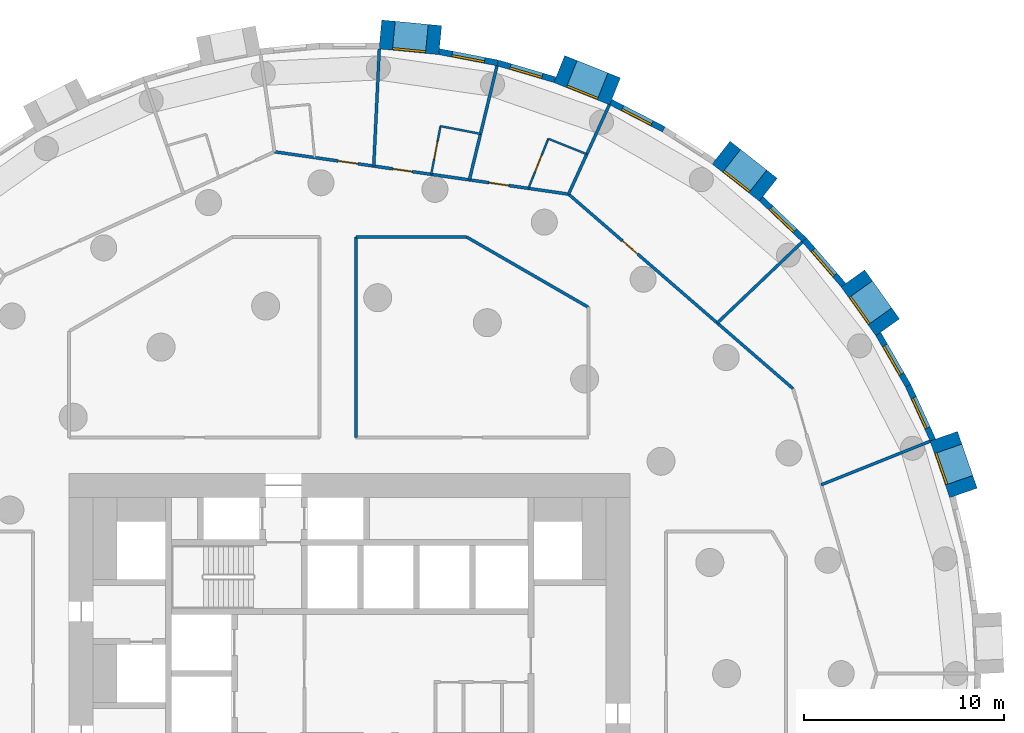
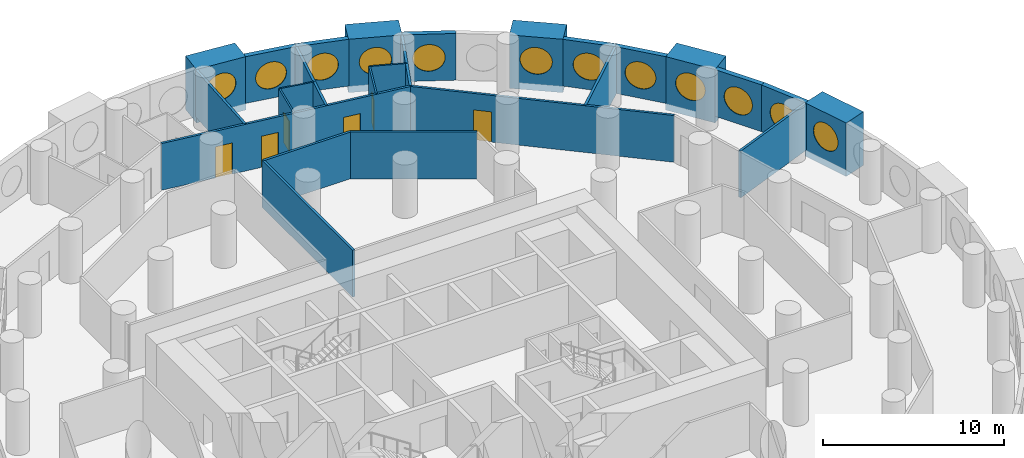
# One storey, part 9 of 11: 26 walls, 12 windows, 6 doors, 18 openings.
"""IFC4 building model written with IfcOpenShell, lengths in metres."""

from ifc_helpers import new_model, si_unit, direction, frame, frame_2d, origin, origin_2d, place, context, subcontext, project, spatial, rectangle, circle, extrude, material, layer, layer_set, type_object, element, fill, save


model = new_model("IFC4")

# Units and contexts
model_context = context("Model", 3, precision=1e-05, world=origin(), true_north=direction((0.0, 1.0)))
body_context = subcontext(model_context, "Body", "Model", "MODEL_VIEW")
ifc_project = project(units=[si_unit("LENGTHUNIT", "METRE"), si_unit("AREAUNIT", "SQUARE_METRE"), si_unit("VOLUMEUNIT", "CUBIC_METRE"), si_unit("PLANEANGLEUNIT", "RADIAN"), si_unit("MASSUNIT", "GRAM", prefix="KILO")], contexts=[model_context])

# Site, building, storey
site_placement = place(None, origin())
site = spatial("IfcSite", under=ifc_project, at=site_placement, CompositionType="ELEMENT")
building_placement = place(site_placement, origin())
building = spatial("IfcBuilding", under=site, at=building_placement, Name="Tracery Tower", CompositionType="ELEMENT")
storey_placement = place(building_placement, frame((0.0, 0.0, 93.0)))
storey = spatial("IfcBuildingStorey", under=building, at=storey_placement, Name="L23", CompositionType="ELEMENT", Elevation=93.0)

# Wall, opening, window
ifc_material_1 = material(Name="Precast concrete C50/60", Category="concrete")
ifc_layer_1 = layer(ifc_material_1, 1.449951171875)
ifc_layer_set_1 = layer_set([ifc_layer_1], Name="Deep-set bay unit 3000 x 3600, slab edge 450")
wall_type_1 = type_object("IfcWallType", Name="Deep-set bay unit 3000 x 3600, slab edge 450", PredefinedType="ELEMENTEDWALL", material=ifc_layer_set_1)
wall_1_placement = place(storey_placement, frame((30.649169921875, 9.0205078125, -0.449951171875), z_axis=(0.0, 0.0, 1.0), x_axis=(-0.327071431777, 0.944999618262, 0.0)))
wall_1 = element("IfcWall", 1, at=wall_1_placement, inside=storey, type_object=wall_type_1, Name="Deep-set bay unit 4 at L23", PredefinedType="ELEMENTEDWALL", context=body_context, shape_type="SweptSolid", body=[
    extrude(rectangle(XDim=3.0, YDim=1.449951171875, at=frame_2d((1.5, 0.0))), origin(), (0.0, 0.0, 1.0), 3.599853515625),
])
opening_1_placement = place(wall_1_placement, frame((1.5, 0.0, 2.0)))
opening_1 = element("IfcOpeningElement", 2, at=opening_1_placement, cuts=wall_1, Name="Opening WN1", PredefinedType="OPENING", context=body_context, shape_type="SweptSolid", body=[
    extrude(circle(Radius=0.9000244140625, at=origin_2d()), frame((0.0, 0.73486328125, 0.0), z_axis=(0.0, -1.0, 0.0), x_axis=(1.0, 0.0, 0.0)), (0.0, 0.0, 1.0), 1.469970703125),
])
ifc_material_2 = material(Name="Aluminium frame with tinted double glazing", Category="aluminium")
window_type = type_object("IfcWindowType", Name="Round window 1800", PartitioningType="SINGLE_PANEL", PredefinedType="WINDOW", material=ifc_material_2)
window_1_placement = place(opening_1_placement, origin())
window_1 = element("IfcWindow", 3, at=window_1_placement, inside=storey, type_object=window_type, Name="Round window 4 at L23", OverallHeight=1.800048828125, OverallWidth=1.800048828125, PartitioningType="SINGLE_PANEL", PredefinedType="WINDOW", context=body_context, shape_type="SweptSolid", body=[
    extrude(circle(Radius=0.9000244140625, at=origin_2d()), frame((0.0, 0.69482421875, 0.0), z_axis=(0.0, -1.0, 0.0), x_axis=(1.0, 0.0, 0.0)), (0.0, 0.0, 1.0), 0.10009765625),
])
fill(opening_1, window_1)

wall_2_placement = place(storey_placement, frame((26.866455078125, 17.2900390625, -0.449951171875), z_axis=(0.0, 0.0, 1.0), x_axis=(-0.580090570606, 0.814551981088, 0.0)))
wall_2 = element("IfcWall", 4, at=wall_2_placement, inside=storey, type_object=wall_type_1, Name="Deep-set bay unit 7 at L23", PredefinedType="ELEMENTEDWALL", context=body_context, shape_type="SweptSolid", body=[
    extrude(rectangle(XDim=3.0, YDim=1.449951171875, at=frame_2d((1.5, 0.0))), origin(), (0.0, 0.0, 1.0), 3.599853515625),
])
opening_2_placement = place(wall_2_placement, frame((1.5, 0.0, 2.0)))
opening_2 = element("IfcOpeningElement", 5, at=opening_2_placement, cuts=wall_2, Name="Opening WN1", PredefinedType="OPENING", context=body_context, shape_type="SweptSolid", body=[
    extrude(circle(Radius=0.9000244140625, at=origin_2d()), frame((0.0, 0.73486328125, 0.0), z_axis=(0.0, -1.0, 0.0), x_axis=(1.0, 0.0, 0.0)), (0.0, 0.0, 1.0), 1.469970703125),
])
window_2_placement = place(opening_2_placement, origin())
window_2 = element("IfcWindow", 6, at=window_2_placement, inside=storey, type_object=window_type, Name="Round window 7 at L23", OverallHeight=1.800048828125, OverallWidth=1.800048828125, PartitioningType="SINGLE_PANEL", PredefinedType="WINDOW", context=body_context, shape_type="SweptSolid", body=[
    extrude(circle(Radius=0.9000244140625, at=origin_2d()), frame((0.0, 0.69482421875, 0.0), z_axis=(0.0, -1.0, 0.0), x_axis=(1.0, 0.0, 0.0)), (0.0, 0.0, 1.0), 0.10009765625),
])
fill(opening_2, window_2)

wall_3_placement = place(storey_placement, frame((20.906982421875, 24.15869140625, -0.449951171875), z_axis=(0.0, 0.0, 1.0), x_axis=(-0.786049992888, 0.618162930529, 0.0)))
wall_3 = element("IfcWall", 7, at=wall_3_placement, inside=storey, type_object=wall_type_1, Name="Deep-set bay unit 10 at L23", PredefinedType="ELEMENTEDWALL", context=body_context, shape_type="SweptSolid", body=[
    extrude(rectangle(XDim=3.0, YDim=1.449951171875, at=frame_2d((1.5, 0.0))), origin(), (0.0, 0.0, 1.0), 3.599853515625),
])
opening_3_placement = place(wall_3_placement, frame((1.5, 0.0, 2.0)))
opening_3 = element("IfcOpeningElement", 8, at=opening_3_placement, cuts=wall_3, Name="Opening WN1", PredefinedType="OPENING", context=body_context, shape_type="SweptSolid", body=[
    extrude(circle(Radius=0.9000244140625, at=origin_2d()), frame((0.0, 0.73486328125, 0.0), z_axis=(0.0, -1.0, 0.0), x_axis=(1.0, 0.0, 0.0)), (0.0, 0.0, 1.0), 1.469970703125),
])
window_3_placement = place(opening_3_placement, origin())
window_3 = element("IfcWindow", 9, at=window_3_placement, inside=storey, type_object=window_type, Name="Round window 10 at L23", OverallHeight=1.800048828125, OverallWidth=1.800048828125, PartitioningType="SINGLE_PANEL", PredefinedType="WINDOW", context=body_context, shape_type="SweptSolid", body=[
    extrude(circle(Radius=0.9000244140625, at=origin_2d()), frame((0.0, 0.69482421875, 0.0), z_axis=(0.0, -1.0, 0.0), x_axis=(1.0, 0.0, 0.0)), (0.0, 0.0, 1.0), 0.10009765625),
])
fill(opening_3, window_3)

wall_4_placement = place(storey_placement, frame((13.253662109375, 29.0703125, -0.449951171875), z_axis=(0.0, 0.0, 1.0), x_axis=(-0.928358776184, 0.371685327504, 0.0)))
wall_4 = element("IfcWall", 10, at=wall_4_placement, inside=storey, type_object=wall_type_1, Name="Deep-set bay unit 13 at L23", PredefinedType="ELEMENTEDWALL", context=body_context, shape_type="SweptSolid", body=[
    extrude(rectangle(XDim=2.999755859375, YDim=1.449951171875, at=frame_2d((1.5, 0.0))), origin(), (0.0, 0.0, 1.0), 3.599853515625),
])
opening_4_placement = place(wall_4_placement, frame((1.5, 0.0, 2.0)))
opening_4 = element("IfcOpeningElement", 11, at=opening_4_placement, cuts=wall_4, Name="Opening WN1", PredefinedType="OPENING", context=body_context, shape_type="SweptSolid", body=[
    extrude(circle(Radius=0.9000244140625, at=origin_2d()), frame((0.0, 0.73486328125, 0.0), z_axis=(0.0, -1.0, 0.0), x_axis=(1.0, 0.0, 0.0)), (0.0, 0.0, 1.0), 1.469970703125),
])
window_4_placement = place(opening_4_placement, origin())
window_4 = element("IfcWindow", 12, at=window_4_placement, inside=storey, type_object=window_type, Name="Round window 13 at L23", OverallHeight=1.800048828125, OverallWidth=1.800048828125, PartitioningType="SINGLE_PANEL", PredefinedType="WINDOW", context=body_context, shape_type="SweptSolid", body=[
    extrude(circle(Radius=0.9000244140625, at=origin_2d()), frame((0.0, 0.69482421875, 0.0), z_axis=(0.0, -1.0, 0.0), x_axis=(1.0, 0.0, 0.0)), (0.0, 0.0, 1.0), 0.10009765625),
])
fill(opening_4, window_4)

wall_5_placement = place(storey_placement, frame((4.52685546875, 31.626708984375, -0.449951171875), z_axis=(0.0, 0.0, 1.0), x_axis=(-0.995472768558, 0.09504718333, 0.0)))
wall_5 = element("IfcWall", 13, at=wall_5_placement, inside=storey, type_object=wall_type_1, Name="Deep-set bay unit 16 at L23", PredefinedType="ELEMENTEDWALL", context=body_context, shape_type="SweptSolid", body=[
    extrude(rectangle(XDim=3.000244140625, YDim=1.449951171875, at=frame_2d((1.5, 0.0))), origin(), (0.0, 0.0, 1.0), 3.599853515625),
])
opening_5_placement = place(wall_5_placement, frame((1.5, 0.0, 2.0)))
opening_5 = element("IfcOpeningElement", 14, at=opening_5_placement, cuts=wall_5, Name="Opening WN1", PredefinedType="OPENING", context=body_context, shape_type="SweptSolid", body=[
    extrude(circle(Radius=0.9000244140625, at=origin_2d()), frame((0.0, 0.73486328125, 0.0), z_axis=(0.0, -1.0, 0.0), x_axis=(1.0, 0.0, 0.0)), (0.0, 0.0, 1.0), 1.469970703125),
])
window_5_placement = place(opening_5_placement, origin())
window_5 = element("IfcWindow", 15, at=window_5_placement, inside=storey, type_object=window_type, Name="Round window 16 at L23", OverallHeight=1.800048828125, OverallWidth=1.800048828125, PartitioningType="SINGLE_PANEL", PredefinedType="WINDOW", context=body_context, shape_type="SweptSolid", body=[
    extrude(circle(Radius=0.9000244140625, at=origin_2d()), frame((0.0, 0.69482421875, 0.0), z_axis=(0.0, -1.0, 0.0), x_axis=(1.0, 0.0, 0.0)), (0.0, 0.0, 1.0), 0.10009765625),
])
fill(opening_5, window_5)

ifc_material_3 = material(Name="Precast concrete C50/60", Category="concrete")
ifc_layer_2 = layer(ifc_material_3, 0.300048828125)
ifc_layer_set_2 = layer_set([ifc_layer_2], Name="Facade panel 3000 x 3150")
wall_type_2 = type_object("IfcWallType", Name="Facade panel 3000 x 3150", PredefinedType="SOLIDWALL", material=ifc_layer_set_2)
wall_6_placement = place(storey_placement, frame((29.12451171875, 11.666259765625, 0.0), z_axis=(0.0, 0.0, 1.0), x_axis=(-0.415407317162, 0.909635509888, 0.0)))
wall_6 = element("IfcWall", 16, at=wall_6_placement, inside=storey, type_object=wall_type_2, Name="Facade panel 5 at L23", PredefinedType="SOLIDWALL", context=body_context, shape_type="SweptSolid", body=[
    extrude(rectangle(XDim=2.979736328125, YDim=0.300048828125, at=frame_2d((1.48974609375, 0.0))), origin(), (0.0, 0.0, 1.0), 3.14990234375),
])
opening_6_placement = place(wall_6_placement, frame((1.48974609375, 0.0, 1.5498046875)))
opening_6 = element("IfcOpeningElement", 17, at=opening_6_placement, cuts=wall_6, Name="Opening WN1", PredefinedType="OPENING", context=body_context, shape_type="SweptSolid", body=[
    extrude(circle(Radius=0.9000244140625, at=origin_2d()), frame((0.0, 0.159912109375, 0.0), z_axis=(0.0, -1.0, 0.0), x_axis=(1.0, 0.0, 0.0)), (0.0, 0.0, 1.0), 0.320068359375),
])
window_6_placement = place(opening_6_placement, origin())
window_6 = element("IfcWindow", 18, at=window_6_placement, inside=storey, type_object=window_type, Name="Round window 5 at L23", OverallHeight=1.800048828125, OverallWidth=1.800048828125, PartitioningType="SINGLE_PANEL", PredefinedType="WINDOW", context=body_context, shape_type="SweptSolid", body=[
    extrude(circle(Radius=0.9000244140625, at=origin_2d()), frame((0.0, 0.1201171875, 0.0), z_axis=(0.0, -1.0, 0.0), x_axis=(1.0, 0.0, 0.0)), (0.0, 0.0, 1.0), 0.10009765625),
])
fill(opening_6, window_6)

wall_7_placement = place(storey_placement, frame((27.88671875, 14.376708984375, 0.0), z_axis=(0.0, 0.0, 1.0), x_axis=(-0.499999078476, 0.866025935826, 0.0)))
wall_7 = element("IfcWall", 19, at=wall_7_placement, inside=storey, type_object=wall_type_2, Name="Facade panel 6 at L23", PredefinedType="SOLIDWALL", context=body_context, shape_type="SweptSolid", body=[
    extrude(rectangle(XDim=2.9794921875, YDim=0.300048828125, at=frame_2d((1.48974609375, 0.0))), origin(), (0.0, 0.0, 1.0), 3.14990234375),
])
opening_7_placement = place(wall_7_placement, frame((1.48974609375, 0.0, 1.5498046875)))
opening_7 = element("IfcOpeningElement", 20, at=opening_7_placement, cuts=wall_7, Name="Opening WN1", PredefinedType="OPENING", context=body_context, shape_type="SweptSolid", body=[
    extrude(circle(Radius=0.9000244140625, at=origin_2d()), frame((0.0, 0.159912109375, 0.0), z_axis=(0.0, -1.0, 0.0), x_axis=(1.0, 0.0, 0.0)), (0.0, 0.0, 1.0), 0.320068359375),
])
window_7_placement = place(opening_7_placement, origin())
window_7 = element("IfcWindow", 21, at=window_7_placement, inside=storey, type_object=window_type, Name="Round window 6 at L23", OverallHeight=1.800048828125, OverallWidth=1.800048828125, PartitioningType="SINGLE_PANEL", PredefinedType="WINDOW", context=body_context, shape_type="SweptSolid", body=[
    extrude(circle(Radius=0.9000244140625, at=origin_2d()), frame((0.0, 0.1201171875, 0.0), z_axis=(0.0, -1.0, 0.0), x_axis=(1.0, 0.0, 0.0)), (0.0, 0.0, 1.0), 0.10009765625),
])
fill(opening_7, window_7)

wall_8_placement = place(storey_placement, frame((24.657958984375, 19.39892578125, 0.0), z_axis=(0.0, 0.0, 1.0), x_axis=(-0.654830712471, 0.755775587066, 0.0)))
wall_8 = element("IfcWall", 22, at=wall_8_placement, inside=storey, type_object=wall_type_2, Name="Facade panel 8 at L23", PredefinedType="SOLIDWALL", context=body_context, shape_type="SweptSolid", body=[
    extrude(rectangle(XDim=2.979736328125, YDim=0.300048828125, at=frame_2d((1.48974609375, 0.0))), origin(), (0.0, 0.0, 1.0), 3.14990234375),
])
opening_8_placement = place(wall_8_placement, frame((1.48974609375, 0.0, 1.5498046875)))
opening_8 = element("IfcOpeningElement", 23, at=opening_8_placement, cuts=wall_8, Name="Opening WN1", PredefinedType="OPENING", context=body_context, shape_type="SweptSolid", body=[
    extrude(circle(Radius=0.9000244140625, at=origin_2d()), frame((0.0, 0.159912109375, 0.0), z_axis=(0.0, -1.0, 0.0), x_axis=(1.0, 0.0, 0.0)), (0.0, 0.0, 1.0), 0.320068359375),
])
window_8_placement = place(opening_8_placement, origin())
window_8 = element("IfcWindow", 24, at=window_8_placement, inside=storey, type_object=window_type, Name="Round window 8 at L23", OverallHeight=1.800048828125, OverallWidth=1.800048828125, PartitioningType="SINGLE_PANEL", PredefinedType="WINDOW", context=body_context, shape_type="SweptSolid", body=[
    extrude(circle(Radius=0.9000244140625, at=origin_2d()), frame((0.0, 0.1201171875, 0.0), z_axis=(0.0, -1.0, 0.0), x_axis=(1.0, 0.0, 0.0)), (0.0, 0.0, 1.0), 0.10009765625),
])
fill(opening_8, window_8)

wall_9_placement = place(storey_placement, frame((22.706787109375, 21.65087890625, 0.0), z_axis=(0.0, 0.0, 1.0), x_axis=(-0.723744206617, 0.690068346896, 0.0)))
wall_9 = element("IfcWall", 25, at=wall_9_placement, inside=storey, type_object=wall_type_2, Name="Facade panel 9 at L23", PredefinedType="SOLIDWALL", context=body_context, shape_type="SweptSolid", body=[
    extrude(rectangle(XDim=2.979736328125, YDim=0.300048828125, at=frame_2d((1.48974609375, 0.0))), origin(), (0.0, 0.0, 1.0), 3.14990234375),
])
opening_9_placement = place(wall_9_placement, frame((1.48974609375, 0.0, 1.5498046875)))
opening_9 = element("IfcOpeningElement", 26, at=opening_9_placement, cuts=wall_9, Name="Opening WN1", PredefinedType="OPENING", context=body_context, shape_type="SweptSolid", body=[
    extrude(circle(Radius=0.9000244140625, at=origin_2d()), frame((0.0, 0.159912109375, 0.0), z_axis=(0.0, -1.0, 0.0), x_axis=(1.0, 0.0, 0.0)), (0.0, 0.0, 1.0), 0.320068359375),
])
window_9_placement = place(opening_9_placement, origin())
window_9 = element("IfcWindow", 27, at=window_9_placement, inside=storey, type_object=window_type, Name="Round window 9 at L23", OverallHeight=1.800048828125, OverallWidth=1.800048828125, PartitioningType="SINGLE_PANEL", PredefinedType="WINDOW", context=body_context, shape_type="SweptSolid", body=[
    extrude(circle(Radius=0.9000244140625, at=origin_2d()), frame((0.0, 0.1201171875, 0.0), z_axis=(0.0, -1.0, 0.0), x_axis=(1.0, 0.0, 0.0)), (0.0, 0.0, 1.0), 0.10009765625),
])
fill(opening_9, window_9)

wall_10_placement = place(storey_placement, frame((15.687255859375, 27.171142578125, 0.0), z_axis=(0.0, 0.0, 1.0), x_axis=(-0.888853225096, 0.4581920386, 0.0)))
wall_10 = element("IfcWall", 28, at=wall_10_placement, inside=storey, type_object=wall_type_2, Name="Facade panel 12 at L23", PredefinedType="SOLIDWALL", context=body_context, shape_type="SweptSolid", body=[
    extrude(rectangle(XDim=2.9794921875, YDim=0.300048828125, at=frame_2d((1.48974609375, 0.0))), origin(), (0.0, 0.0, 1.0), 3.14990234375),
])
opening_10_placement = place(wall_10_placement, frame((1.48974609375, 0.0, 1.5498046875)))
opening_10 = element("IfcOpeningElement", 29, at=opening_10_placement, cuts=wall_10, Name="Opening WN1", PredefinedType="OPENING", context=body_context, shape_type="SweptSolid", body=[
    extrude(circle(Radius=0.9000244140625, at=origin_2d()), frame((0.0, 0.159912109375, 0.0), z_axis=(0.0, -1.0, 0.0), x_axis=(1.0, 0.0, 0.0)), (0.0, 0.0, 1.0), 0.320068359375),
])
window_10_placement = place(opening_10_placement, origin())
window_10 = element("IfcWindow", 30, at=window_10_placement, inside=storey, type_object=window_type, Name="Round window 12 at L23", OverallHeight=1.800048828125, OverallWidth=1.800048828125, PartitioningType="SINGLE_PANEL", PredefinedType="WINDOW", context=body_context, shape_type="SweptSolid", body=[
    extrude(circle(Radius=0.9000244140625, at=origin_2d()), frame((0.0, 0.1201171875, 0.0), z_axis=(0.0, -1.0, 0.0), x_axis=(1.0, 0.0, 0.0)), (0.0, 0.0, 1.0), 0.10009765625),
])
fill(opening_10, window_10)

wall_11_placement = place(storey_placement, frame((10.255859375, 29.650634765625, 0.0), z_axis=(0.0, 0.0, 1.0), x_axis=(-0.959507586834, 0.28168278401, 0.0)))
wall_11 = element("IfcWall", 31, at=wall_11_placement, inside=storey, type_object=wall_type_2, Name="Facade panel 14 at L23", PredefinedType="SOLIDWALL", context=body_context, shape_type="SweptSolid", body=[
    extrude(rectangle(XDim=2.979736328125, YDim=0.300048828125, at=frame_2d((1.48974609375, 0.0))), origin(), (0.0, 0.0, 1.0), 3.14990234375),
])
opening_11_placement = place(wall_11_placement, frame((1.48974609375, 0.0, 1.5498046875)))
opening_11 = element("IfcOpeningElement", 32, at=opening_11_placement, cuts=wall_11, Name="Opening WN1", PredefinedType="OPENING", context=body_context, shape_type="SweptSolid", body=[
    extrude(circle(Radius=0.9000244140625, at=origin_2d()), frame((0.0, 0.159912109375, 0.0), z_axis=(0.0, -1.0, 0.0), x_axis=(1.0, 0.0, 0.0)), (0.0, 0.0, 1.0), 0.320068359375),
])
window_11_placement = place(opening_11_placement, origin())
window_11 = element("IfcWindow", 33, at=window_11_placement, inside=storey, type_object=window_type, Name="Round window 14 at L23", OverallHeight=1.800048828125, OverallWidth=1.800048828125, PartitioningType="SINGLE_PANEL", PredefinedType="WINDOW", context=body_context, shape_type="SweptSolid", body=[
    extrude(circle(Radius=0.9000244140625, at=origin_2d()), frame((0.0, 0.1201171875, 0.0), z_axis=(0.0, -1.0, 0.0), x_axis=(1.0, 0.0, 0.0)), (0.0, 0.0, 1.0), 0.10009765625),
])
fill(opening_11, window_11)

wall_12_placement = place(storey_placement, frame((7.396728515625, 30.489990234375, 0.0), z_axis=(0.0, 0.0, 1.0), x_axis=(-0.981924535406, 0.189272836848, 0.0)))
wall_12 = element("IfcWall", 34, at=wall_12_placement, inside=storey, type_object=wall_type_2, Name="Facade panel 15 at L23", PredefinedType="SOLIDWALL", context=body_context, shape_type="SweptSolid", body=[
    extrude(rectangle(XDim=2.979736328125, YDim=0.300048828125, at=frame_2d((1.48974609375, 0.0))), origin(), (0.0, 0.0, 1.0), 3.14990234375),
])
opening_12_placement = place(wall_12_placement, frame((1.48974609375, 0.0, 1.5498046875)))
opening_12 = element("IfcOpeningElement", 35, at=opening_12_placement, cuts=wall_12, Name="Opening WN1", PredefinedType="OPENING", context=body_context, shape_type="SweptSolid", body=[
    extrude(circle(Radius=0.9000244140625, at=origin_2d()), frame((0.0, 0.159912109375, 0.0), z_axis=(0.0, -1.0, 0.0), x_axis=(1.0, 0.0, 0.0)), (0.0, 0.0, 1.0), 0.320068359375),
])
window_12_placement = place(opening_12_placement, origin())
window_12 = element("IfcWindow", 36, at=window_12_placement, inside=storey, type_object=window_type, Name="Round window 15 at L23", OverallHeight=1.800048828125, OverallWidth=1.800048828125, PartitioningType="SINGLE_PANEL", PredefinedType="WINDOW", context=body_context, shape_type="SweptSolid", body=[
    extrude(circle(Radius=0.9000244140625, at=origin_2d()), frame((0.0, 0.1201171875, 0.0), z_axis=(0.0, -1.0, 0.0), x_axis=(1.0, 0.0, 0.0)), (0.0, 0.0, 1.0), 0.10009765625),
])
fill(opening_12, window_12)

# Wall
ifc_material_4 = material(Name="Plasterboard on steel studs", Category="steel")
ifc_layer_3 = layer(ifc_material_4, 0.10009765625)
ifc_layer_set_3 = layer_set([ifc_layer_3], Name="Partition 100 wet wall")
wall_type_3 = type_object("IfcWallType", Name="Partition 100 wet wall", PredefinedType="PARTITIONING", material=ifc_layer_set_3)
wall_13_placement = place(storey_placement, frame((9.9208984375, 26.7041015625, 0.0), z_axis=(0.0, 0.0, 1.0), x_axis=(0.928346586681, -0.37171577179, 0.0)))
element("IfcWall", 37, at=wall_13_placement, inside=storey, type_object=wall_type_3, Name="Wet wall RA7-050", PredefinedType="PARTITIONING", context=body_context, shape_type="SweptSolid", body=[
    extrude(rectangle(XDim=2.071533203125, YDim=0.10009765625, at=frame_2d((1.03564453125, 0.0))), origin(), (0.0, 0.0, 1.0), 3.14990234375),
])

# Wall, opening, door
wall_14_placement = place(storey_placement, frame((8.929931640625, 24.22802734375, 0.0), z_axis=(0.0, 0.0, 1.0), x_axis=(0.371564281805, 0.928407229876, 0.0)))
wall_14 = element("IfcWall", 38, at=wall_14_placement, inside=storey, type_object=wall_type_3, Name="Wet wall RA7-051", PredefinedType="PARTITIONING", context=body_context, shape_type="SweptSolid", body=[
    extrude(rectangle(XDim=2.6669921875, YDim=0.10009765625, at=frame_2d((1.33349609375, 0.0))), origin(), (0.0, 0.0, 1.0), 3.14990234375),
])
opening_13_placement = place(wall_14_placement, frame((0.884033203125, 0.0, 0.0)))
opening_13 = element("IfcOpeningElement", 39, at=opening_13_placement, cuts=wall_14, Name="Opening RA7-10", PredefinedType="OPENING", context=body_context, shape_type="SweptSolid", body=[
    extrude(rectangle(XDim=0.89990234375, YDim=2.0400390625, at=frame_2d((0.449951171875, 1.02001953125))), frame((0.0, 0.050048828125, 0.0), z_axis=(0.0, -1.0, 0.0), x_axis=(1.0, 0.0, 0.0)), (0.0, 0.0, 1.0), 0.10009765625),
])
ifc_material_5 = material(Name="Timber door leaf", Category="wood")
door_type_1 = type_object("IfcDoorType", Name="Door en-suite 900", OperationType="NOTDEFINED", PredefinedType="DOOR", material=ifc_material_5)
door_1_placement = place(opening_13_placement, origin())
door_1 = element("IfcDoor", 40, at=door_1_placement, inside=storey, type_object=door_type_1, Name="En-suite door RA7-10", OperationType="SINGLE_SWING_LEFT", OverallHeight=2.0400390625, OverallWidth=0.89990234375, PredefinedType="DOOR", context=body_context, shape_type="SweptSolid", body=[
    extrude(rectangle(XDim=0.89990234375, YDim=2.0400390625, at=frame_2d((0.449951171875, 1.02001953125))), frame((0.0, 0.02490234375, 0.0), z_axis=(0.0, -1.0, 0.0), x_axis=(1.0, 0.0, 0.0)), (0.0, 0.0, 1.0), 0.050048828125),
])
fill(opening_13, door_1)

# Wall
wall_15_placement = place(storey_placement, frame((4.541015625, 27.333984375, 0.0), z_axis=(0.0, 0.0, 1.0), x_axis=(0.981919009751, -0.189301501024, 0.0)))
element("IfcWall", 41, at=wall_15_placement, inside=storey, type_object=wall_type_3, Name="Wet wall RA7-053", PredefinedType="PARTITIONING", context=body_context, shape_type="SweptSolid", body=[
    extrude(rectangle(XDim=2.033935546875, YDim=0.10009765625, at=frame_2d((1.01708984375, 0.0))), origin(), (0.0, 0.0, 1.0), 3.14990234375),
])

# Wall, opening, door
wall_16_placement = place(storey_placement, frame((4.076904296875, 24.926025390625, 0.0), z_axis=(0.0, 0.0, 1.0), x_axis=(0.18925724964, 0.981927539821, 0.0)))
wall_16 = element("IfcWall", 42, at=wall_16_placement, inside=storey, type_object=wall_type_3, Name="Wet wall RA7-054", PredefinedType="PARTITIONING", context=body_context, shape_type="SweptSolid", body=[
    extrude(rectangle(XDim=2.452392578125, YDim=0.10009765625, at=frame_2d((1.22607421875, 0.0))), origin(), (0.0, 0.0, 1.0), 3.14990234375),
])
opening_14_placement = place(wall_16_placement, frame((0.7763671875, 0.0, 0.0)))
opening_14 = element("IfcOpeningElement", 43, at=opening_14_placement, cuts=wall_16, Name="Opening RA7-12", PredefinedType="OPENING", context=body_context, shape_type="SweptSolid", body=[
    extrude(rectangle(XDim=0.89990234375, YDim=2.0400390625, at=frame_2d((0.449951171875, 1.02001953125))), frame((0.0, 0.050048828125, 0.0), z_axis=(0.0, -1.0, 0.0), x_axis=(1.0, 0.0, 0.0)), (0.0, 0.0, 1.0), 0.10009765625),
])
door_2_placement = place(opening_14_placement, origin())
door_2 = element("IfcDoor", 44, at=door_2_placement, inside=storey, type_object=door_type_1, Name="En-suite door RA7-12", OperationType="SINGLE_SWING_LEFT", OverallHeight=2.0400390625, OverallWidth=0.89990234375, PredefinedType="DOOR", context=body_context, shape_type="SweptSolid", body=[
    extrude(rectangle(XDim=0.89990234375, YDim=2.0400390625, at=frame_2d((0.449951171875, 1.02001953125))), frame((0.0, 0.02490234375, 0.0), z_axis=(0.0, -1.0, 0.0), x_axis=(1.0, 0.0, 0.0)), (0.0, 0.0, 1.0), 0.050048828125),
])
fill(opening_14, door_2)

# Walls
ifc_material_6 = material(Name="Plasterboard on steel studs", Category="steel")
ifc_layer_4 = layer(ifc_material_6, 0.14990234375)
ifc_layer_set_4 = layer_set([ifc_layer_4], Name="Partition 150 acoustic unit wall")
wall_type_4 = type_object("IfcWallType", Name="Partition 150 acoustic unit wall", PredefinedType="PARTITIONING", material=ifc_layer_set_4)
wall_17_placement = place(storey_placement, frame((23.550048828125, 9.427978515625, 0.0), z_axis=(0.0, 0.0, 1.0), x_axis=(0.9283702981, 0.371656547911, 0.0)))
element("IfcWall", 45, at=wall_17_placement, inside=storey, type_object=wall_type_4, Name="Unit wall RA7-046", PredefinedType="PARTITIONING", context=body_context, shape_type="SweptSolid", body=[
    extrude(rectangle(XDim=5.857666015625, YDim=0.14990234375, at=frame_2d((2.9287109375, 0.0))), origin(), (0.0, 0.0, 1.0), 3.14990234375),
])
wall_18_placement = place(storey_placement, frame((18.35888671875, 17.506103515625, 0.0), z_axis=(0.0, 0.0, 1.0), x_axis=(0.723808715798, 0.690000683286, 0.0)))
element("IfcWall", 46, at=wall_18_placement, inside=storey, type_object=wall_type_4, Name="Unit wall RA7-048", PredefinedType="PARTITIONING", context=body_context, shape_type="SweptSolid", body=[
    extrude(rectangle(XDim=5.8564453125, YDim=0.14990234375, at=frame_2d((2.92822265625, 0.0))), origin(), (0.0, 0.0, 1.0), 3.14990234375),
])
wall_19_placement = place(storey_placement, frame((10.933349609375, 23.939697265625, 0.0), z_axis=(0.0, 0.0, 1.0), x_axis=(0.415286978667, 0.909690455787, 0.0)))
element("IfcWall", 47, at=wall_19_placement, inside=storey, type_object=wall_type_4, Name="Unit wall RA7-049", PredefinedType="PARTITIONING", context=body_context, shape_type="SweptSolid", body=[
    extrude(rectangle(XDim=4.906494140625, YDim=0.14990234375, at=frame_2d((2.453125, 0.0))), origin(), (0.0, 0.0, 1.0), 3.14990234375),
])
wall_20_placement = place(storey_placement, frame((5.981201171875, 24.652099609375, 0.0), z_axis=(0.0, 0.0, 1.0), x_axis=(0.235604797906, 0.971848948759, 0.0)))
element("IfcWall", 48, at=wall_20_placement, inside=storey, type_object=wall_type_4, Name="Unit wall RA7-052", PredefinedType="PARTITIONING", context=body_context, shape_type="SweptSolid", body=[
    extrude(rectangle(XDim=5.856689453125, YDim=0.14990234375, at=frame_2d((2.92822265625, 0.0))), origin(), (0.0, 0.0, 1.0), 3.14990234375),
])
wall_21_placement = place(storey_placement, frame((1.20703125, 25.339111328125, 0.0), z_axis=(0.0, 0.0, 1.0), x_axis=(0.047648334785, 0.998864173045, 0.0)))
element("IfcWall", 49, at=wall_21_placement, inside=storey, type_object=wall_type_4, Name="Unit wall RA7-055", PredefinedType="PARTITIONING", context=body_context, shape_type="SweptSolid", body=[
    extrude(rectangle(XDim=5.8564453125, YDim=0.14990234375, at=frame_2d((2.92822265625, 0.0))), origin(), (0.0, 0.0, 1.0), 3.14990234375),
])

# Wall, opening, door
ifc_material_7 = material(Name="Plasterboard on steel studs", Category="steel")
ifc_layer_5 = layer(ifc_material_7, 0.14990234375)
ifc_layer_set_5 = layer_set([ifc_layer_5], Name="Partition 150 corridor wall")
wall_type_5 = type_object("IfcWallType", Name="Partition 150 corridor wall", PredefinedType="PARTITIONING", material=ifc_layer_set_5)
wall_22_placement = place(storey_placement, frame((10.932373046875, 23.939208984375, 0.0), z_axis=(0.0, 0.0, 1.0), x_axis=(0.755823777664, -0.654775088956, 0.0)))
wall_22 = element("IfcWall", 50, at=wall_22_placement, inside=storey, type_object=wall_type_5, Name="Corridor wall RA7-013", PredefinedType="PARTITIONING", context=body_context, shape_type="SweptSolid", body=[
    extrude(rectangle(XDim=14.829833984375, YDim=0.14990234375, at=frame_2d((7.4150390625, 0.0))), origin(), (0.0, 0.0, 1.0), 3.14990234375),
])
opening_15_placement = place(wall_22_placement, frame((3.56005859375, 0.0, 0.0)))
opening_15 = element("IfcOpeningElement", 51, at=opening_15_placement, cuts=wall_22, Name="Opening RA7-09", PredefinedType="OPENING", context=body_context, shape_type="SweptSolid", body=[
    extrude(rectangle(XDim=1.0, YDim=2.0400390625, at=frame_2d((0.5, 1.02001953125))), frame((0.0, 0.074951171875, 0.0), z_axis=(0.0, -1.0, 0.0), x_axis=(1.0, 0.0, 0.0)), (0.0, 0.0, 1.0), 0.14990234375),
])
ifc_material_8 = material(Name="Timber door leaf", Category="wood")
door_type_2 = type_object("IfcDoorType", Name="Door communal room 1000", OperationType="NOTDEFINED", PredefinedType="DOOR", material=ifc_material_8)
door_3_placement = place(opening_15_placement, origin())
door_3 = element("IfcDoor", 52, at=door_3_placement, inside=storey, type_object=door_type_2, Name="Communal room door RA7-09", OperationType="SINGLE_SWING_LEFT", OverallHeight=2.0400390625, OverallWidth=1.0, PredefinedType="DOOR", context=body_context, shape_type="SweptSolid", body=[
    extrude(rectangle(XDim=1.0, YDim=2.0400390625, at=frame_2d((0.5, 1.02001953125))), frame((0.0, 0.02490234375, 0.0), z_axis=(0.0, -1.0, 0.0), x_axis=(1.0, 0.0, 0.0)), (0.0, 0.0, 1.0), 0.050048828125),
])
fill(opening_15, door_3)

# Walls
wall_23_placement = place(storey_placement, frame((5.842041015625, 21.802001953125, 0.0), z_axis=(0.0, 0.0, 1.0), x_axis=(0.866027436592, -0.499996479058, 0.0)))
element("IfcWall", 53, at=wall_23_placement, inside=storey, type_object=wall_type_5, Name="Corridor wall RA7-021", PredefinedType="PARTITIONING", context=body_context, shape_type="SweptSolid", body=[
    extrude(rectangle(XDim=7.01806640625, YDim=0.14990234375, at=frame_2d((3.509033203125, 0.0))), origin(), (0.0, 0.0, 1.0), 3.14990234375),
])
wall_24_placement = place(storey_placement, frame((0.31005859375, 21.802001953125, 0.0), z_axis=(0.0, 0.0, 1.0), x_axis=(1.0, 0.0, 0.0)))
element("IfcWall", 54, at=wall_24_placement, inside=storey, type_object=wall_type_5, Name="Corridor wall RA7-022", PredefinedType="PARTITIONING", context=body_context, shape_type="SweptSolid", body=[
    extrude(rectangle(XDim=5.531982421875, YDim=0.14990234375, at=frame_2d((2.76611328125, 0.0))), origin(), (0.0, 0.0, 1.0), 3.14990234375),
])
wall_25_placement = place(storey_placement, frame((0.31005859375, 11.800048828125, 0.0), z_axis=(0.0, 0.0, 1.0), x_axis=(0.0, 1.0, 0.0)))
element("IfcWall", 55, at=wall_25_placement, inside=storey, type_object=wall_type_5, Name="Corridor wall RA7-023", PredefinedType="PARTITIONING", context=body_context, shape_type="SweptSolid", body=[
    extrude(rectangle(XDim=10.001953125, YDim=0.14990234375, at=frame_2d((5.0009765625, 0.0))), origin(), (0.0, 0.0, 1.0), 3.14990234375),
])

# Wall, openings, doors
wall_26_placement = place(storey_placement, frame((-3.74560546875, 26.0537109375, 0.0), z_axis=(0.0, 0.0, 1.0), x_axis=(0.989780545379, -0.142598990138, 0.0)))
wall_26 = element("IfcWall", 56, at=wall_26_placement, inside=storey, type_object=wall_type_5, Name="Corridor wall RA7-024", PredefinedType="PARTITIONING", context=body_context, shape_type="SweptSolid", body=[
    extrude(rectangle(XDim=14.830078125, YDim=0.14990234375, at=frame_2d((7.4150390625, 0.0))), origin(), (0.0, 0.0, 1.0), 3.14990234375),
])
opening_16_placement = place(wall_26_placement, frame((10.81689453125, 0.0, 0.0)))
opening_16 = element("IfcOpeningElement", 57, at=opening_16_placement, cuts=wall_26, Name="Opening RA7-11", PredefinedType="OPENING", context=body_context, shape_type="SweptSolid", body=[
    extrude(rectangle(XDim=1.0, YDim=2.10009765625, at=frame_2d((0.5, 1.050048828125))), frame((0.0, 0.074951171875, 0.0), z_axis=(0.0, -1.0, 0.0), x_axis=(1.0, 0.0, 0.0)), (0.0, 0.0, 1.0), 0.14990234375),
])
opening_17_placement = place(wall_26_placement, frame((5.9541015625, 0.0, 0.0)))
opening_17 = element("IfcOpeningElement", 58, at=opening_17_placement, cuts=wall_26, Name="Opening RA7-13", PredefinedType="OPENING", context=body_context, shape_type="SweptSolid", body=[
    extrude(rectangle(XDim=1.0, YDim=2.10009765625, at=frame_2d((0.5, 1.050048828125))), frame((0.0, 0.074951171875, 0.0), z_axis=(0.0, -1.0, 0.0), x_axis=(1.0, 0.0, 0.0)), (0.0, 0.0, 1.0), 0.14990234375),
])
opening_18_placement = place(wall_26_placement, frame((3.213623046875, 0.0, 0.0)))
opening_18 = element("IfcOpeningElement", 59, at=opening_18_placement, cuts=wall_26, Name="Opening RA7-15", PredefinedType="OPENING", context=body_context, shape_type="SweptSolid", body=[
    extrude(rectangle(XDim=1.0, YDim=2.10009765625, at=frame_2d((0.5, 1.050048828125))), frame((0.0, 0.074951171875, 0.0), z_axis=(0.0, -1.0, 0.0), x_axis=(1.0, 0.0, 0.0)), (0.0, 0.0, 1.0), 0.14990234375),
])
ifc_material_9 = material(Name="Timber door leaf", Category="wood")
door_type_3 = type_object("IfcDoorType", Name="Door unit entrance 1000", OperationType="NOTDEFINED", PredefinedType="DOOR", material=ifc_material_9)
door_4_placement = place(opening_16_placement, origin())
door_4 = element("IfcDoor", 60, at=door_4_placement, inside=storey, type_object=door_type_3, Name="Unit entrance door RA7-11", OperationType="SINGLE_SWING_RIGHT", OverallHeight=2.10009765625, OverallWidth=1.0, PredefinedType="DOOR", context=body_context, shape_type="SweptSolid", body=[
    extrude(rectangle(XDim=1.0, YDim=2.10009765625, at=frame_2d((0.5, 1.050048828125))), frame((0.0, 0.02490234375, 0.0), z_axis=(0.0, -1.0, 0.0), x_axis=(1.0, 0.0, 0.0)), (0.0, 0.0, 1.0), 0.050048828125),
])
fill(opening_16, door_4)
door_5_placement = place(opening_17_placement, origin())
door_5 = element("IfcDoor", 61, at=door_5_placement, inside=storey, type_object=door_type_3, Name="Unit entrance door RA7-13", OperationType="SINGLE_SWING_RIGHT", OverallHeight=2.10009765625, OverallWidth=1.0, PredefinedType="DOOR", context=body_context, shape_type="SweptSolid", body=[
    extrude(rectangle(XDim=1.0, YDim=2.10009765625, at=frame_2d((0.5, 1.050048828125))), frame((0.0, 0.02490234375, 0.0), z_axis=(0.0, -1.0, 0.0), x_axis=(1.0, 0.0, 0.0)), (0.0, 0.0, 1.0), 0.050048828125),
])
fill(opening_17, door_5)
door_6_placement = place(opening_18_placement, origin())
door_6 = element("IfcDoor", 62, at=door_6_placement, inside=storey, type_object=door_type_3, Name="Unit entrance door RA7-15", OperationType="SINGLE_SWING_RIGHT", OverallHeight=2.10009765625, OverallWidth=1.0, PredefinedType="DOOR", context=body_context, shape_type="SweptSolid", body=[
    extrude(rectangle(XDim=1.0, YDim=2.10009765625, at=frame_2d((0.5, 1.050048828125))), frame((0.0, 0.02490234375, 0.0), z_axis=(0.0, -1.0, 0.0), x_axis=(1.0, 0.0, 0.0)), (0.0, 0.0, 1.0), 0.050048828125),
])
fill(opening_18, door_6)

save(model, "model.ifc")
